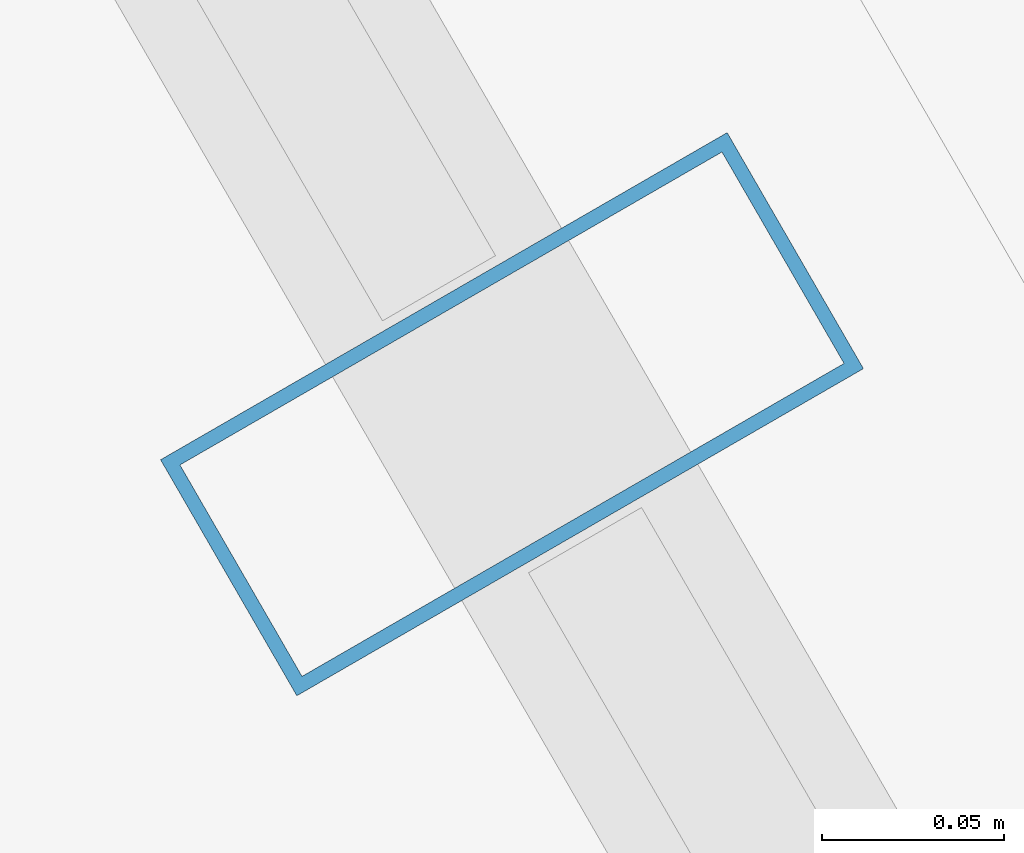
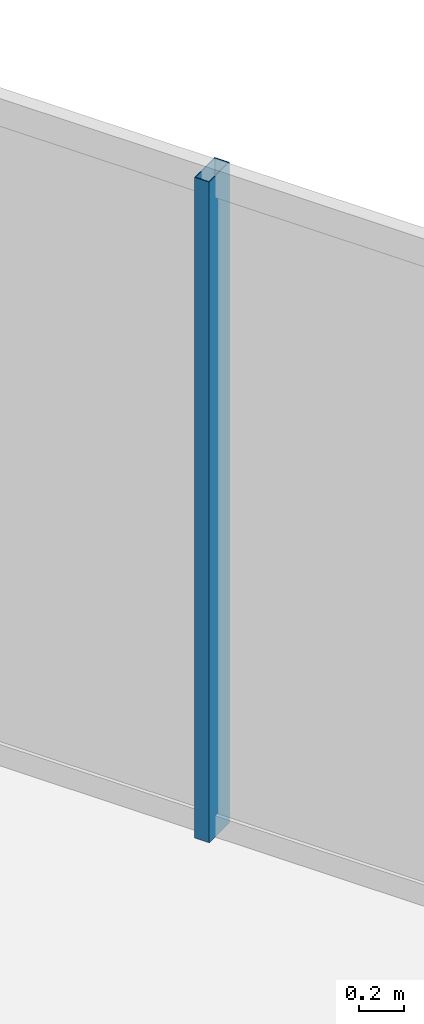
# One storey, part 17 of 33: 1 member, 1 element without a shape of its own.
"""IFC4 building model written with IfcOpenShell, lengths in metres."""

from ifc_helpers import new_model, si_unit, direction, frame, origin, origin_2d, place, context, subcontext, project, spatial, hollow_rectangle, extrude, material, layer, layer_set, material_profile, profile_set, type_object, element, aggregate, save


model = new_model("IFC4")

# Units and contexts
model_context = context("Model", 3, precision=1e-05, world=origin(), true_north=direction((0.0, 1.0)))
body_context = subcontext(model_context, "Body", "Model", "MODEL_VIEW")
ifc_project = project(units=[si_unit("LENGTHUNIT", "METRE"), si_unit("AREAUNIT", "SQUARE_METRE"), si_unit("VOLUMEUNIT", "CUBIC_METRE"), si_unit("PLANEANGLEUNIT", "RADIAN"), si_unit("MASSUNIT", "GRAM", prefix="KILO")], contexts=[model_context])

# Site, building, storey
site_placement = place(None, origin())
site = spatial("IfcSite", under=ifc_project, at=site_placement, CompositionType="ELEMENT")
building_placement = place(site_placement, origin())
building = spatial("IfcBuilding", under=site, at=building_placement, Name="Ndaravel Arena Tower", CompositionType="ELEMENT")
storey_placement = place(building_placement, frame((0.0, 0.0, 184.0)))
storey = spatial("IfcBuildingStorey", under=building, at=storey_placement, Name="L44", CompositionType="ELEMENT", Elevation=184.0)

# Curtain wall, member
ifc_material_1 = material(Name="Aluminium", Category="aluminium")
ifc_layer = layer(ifc_material_1, 0.179931640625)
ifc_layer_set = layer_set([ifc_layer], Name="Aluminium")
curtain_wall_type = type_object("IfcCurtainWallType", Name="CW-SYS-03", PredefinedType="NOTDEFINED", material=ifc_layer_set)
curtain_wall_placement = place(storey_placement, origin())
curtain_wall = element("IfcCurtainWall", 1, at=curtain_wall_placement, inside=storey, type_object=curtain_wall_type, Name="L44 Faceted Crystal Curtain Wall CW-L44-E03", PredefinedType="NOTDEFINED")
ifc_material_2 = material(Name="Aluminium", Category="aluminium")
ifc_material_profile = material_profile(ifc_material_2, hollow_rectangle(XDim=0.074951171875, YDim=0.179931640625, WallThickness=0.00390625, at=origin_2d()), Name="CW MULLION 75x180x4")
ifc_profile_set = profile_set([ifc_material_profile], Name="Aluminium")
member_type = type_object("IfcMemberType", Name="MEM-CW-MUL180", PredefinedType="MULLION", material=ifc_profile_set)
member_placement = place(storey_placement, frame((59.409912109375, 24.337158203125, 0.0), z_axis=(0.0, 0.0, 1.0), x_axis=(-0.5, 0.866025403784, 0.0)))
member = element("IfcMember", 2, at=member_placement, type_object=member_type, Name="CW-L44-E03 Mullion 03", PredefinedType="MULLION", context=body_context, shape_type="SweptSolid", body=[
    extrude(hollow_rectangle(XDim=0.074951171875, YDim=0.179931640625, WallThickness=0.00390625, at=origin_2d()), origin(), (0.0, 0.0, 1.0), 3.580078125),
])
aggregate(curtain_wall, [member])

save(model, "model.ifc")
